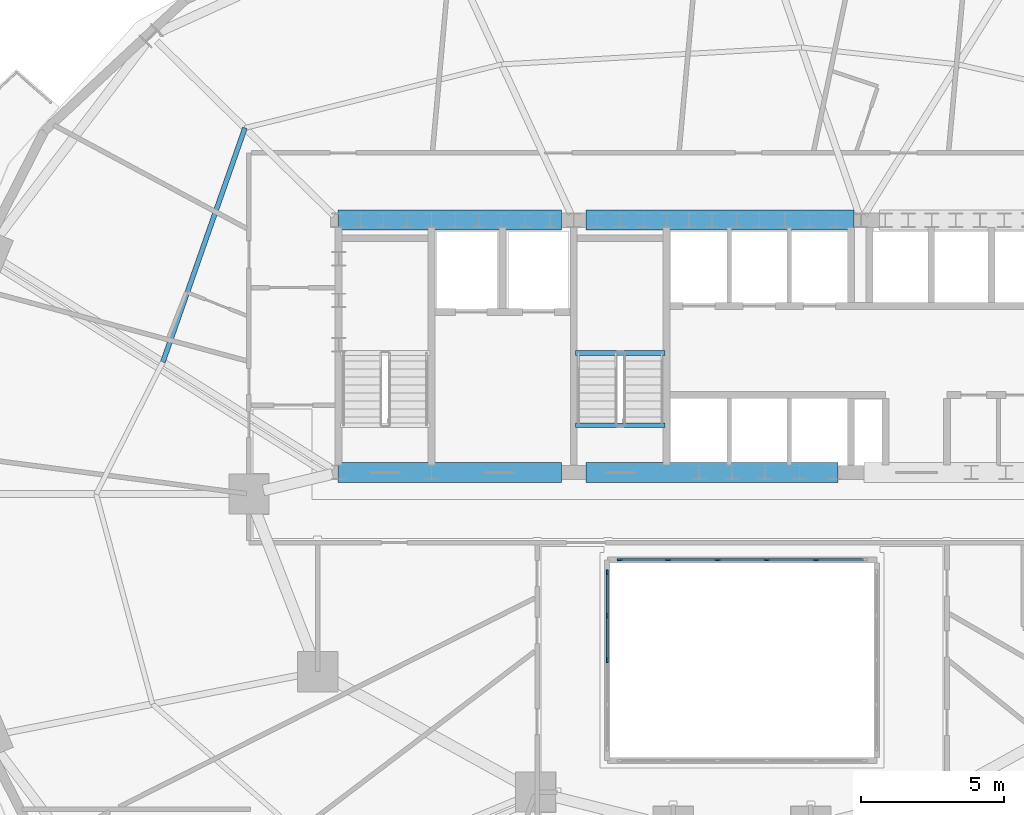
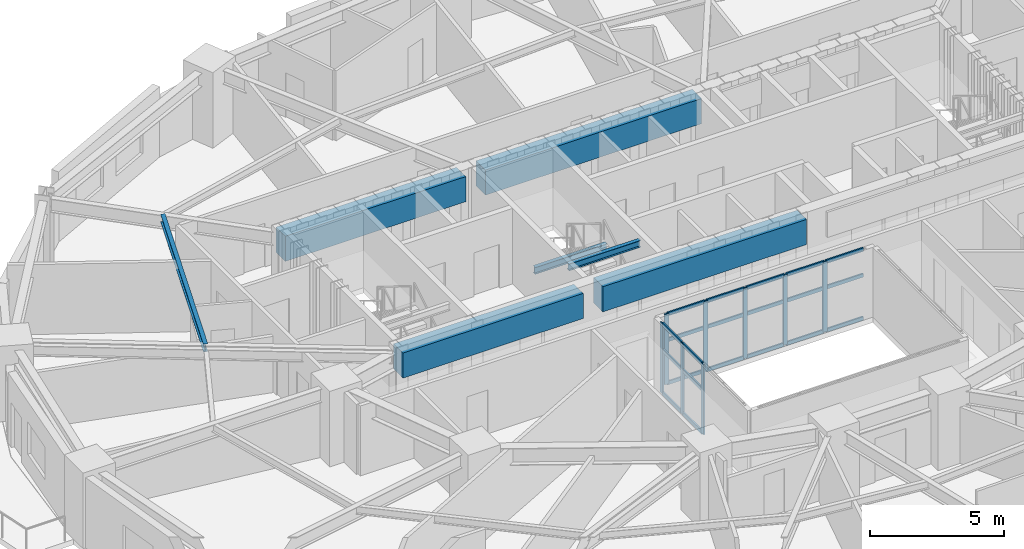
# One storey, part 4 of 16: 29 members, 7 beams, 2 elements without a shape of their own.
"""IFC4 building model written with IfcOpenShell, lengths in metres."""

from ifc_helpers import new_model, si_unit, direction, frame, origin, origin_2d, place, context, subcontext, project, spatial, rectangle, i_section, extrude, material, material_profile, profile_set, type_object, element, aggregate, save


model = new_model("IFC4")

# Units and contexts
model_context = context("Model", 3, precision=1e-05, world=origin(), true_north=direction((0.0, 1.0)))
body_context = subcontext(model_context, "Body", "Model", "MODEL_VIEW")
ifc_project = project(units=[si_unit("LENGTHUNIT", "METRE"), si_unit("AREAUNIT", "SQUARE_METRE"), si_unit("VOLUMEUNIT", "CUBIC_METRE"), si_unit("PLANEANGLEUNIT", "RADIAN"), si_unit("MASSUNIT", "GRAM", prefix="KILO")], contexts=[model_context])

# Site, building, storey
site_placement = place(None, origin())
site = spatial("IfcSite", under=ifc_project, at=site_placement, CompositionType="ELEMENT")
building_placement = place(site_placement, origin())
building = spatial("IfcBuilding", under=site, at=building_placement, Name="Haldorwick Loom Tower", CompositionType="ELEMENT")
storey_placement = place(building_placement, frame((0.0, 0.0, 88.699951171875)))
storey = spatial("IfcBuildingStorey", under=building, at=storey_placement, Name="L23", CompositionType="ELEMENT", Elevation=88.699951171875)

# Curtain wall, members
ifc_material_1 = material(Name="Thermally Broken Anodized Aluminium Curtain Wall Framing", Category="aluminium")
curtain_wall_type = type_object("IfcCurtainWallType", Name="ARC-CW-03", PredefinedType="NOTDEFINED", material=ifc_material_1)
curtain_wall_1_placement = place(storey_placement, origin())
curtain_wall_1 = element("IfcCurtainWall", 1, at=curtain_wall_1_placement, inside=storey, type_object=curtain_wall_type, Name="L23 Atrium Glazed Screen N", PredefinedType="NOTDEFINED")
ifc_material_profile_1 = material_profile(ifc_material_1, rectangle(XDim=0.06591796875, YDim=0.18505859375, at=origin_2d()), Name="ALU_MUL_66X185", Category="aluminium")
ifc_profile_set_1 = profile_set([ifc_material_profile_1], Name="Thermally Broken Anodized Aluminium Curtain Wall Framing")
member_type_1 = type_object("IfcMemberType", Name="ARC-CWM-03", PredefinedType="MULLION", material=ifc_profile_set_1)
member_1_placement = place(storey_placement, frame((31.73291015625, 23.699951171875, 0.0), z_axis=(0.0, 0.0, 1.0), x_axis=(0.0, 1.0, 0.0)))
member_1 = element("IfcMember", 2, at=member_1_placement, type_object=member_type_1, Name="CW-03 mullion 1", PredefinedType="MULLION", context=body_context, shape_type="SweptSolid", body=[
    extrude(rectangle(XDim=0.06591796875, YDim=0.18505859375, at=origin_2d()), origin(), (0.0, 0.0, 1.0), 3.2099609375),
])
member_2_placement = place(storey_placement, frame((33.419921875, 23.699951171875, 0.0), z_axis=(0.0, 0.0, 1.0), x_axis=(0.0, 1.0, 0.0)))
member_2 = element("IfcMember", 3, at=member_2_placement, type_object=member_type_1, Name="CW-03 mullion 2", PredefinedType="MULLION", context=body_context, shape_type="SweptSolid", body=[
    extrude(rectangle(XDim=0.06591796875, YDim=0.18505859375, at=origin_2d()), origin(), (0.0, 0.0, 1.0), 3.2099609375),
])
member_3_placement = place(storey_placement, frame((35.139892578125, 23.699951171875, 0.0), z_axis=(0.0, 0.0, 1.0), x_axis=(0.0, 1.0, 0.0)))
member_3 = element("IfcMember", 4, at=member_3_placement, type_object=member_type_1, Name="CW-03 mullion 3", PredefinedType="MULLION", context=body_context, shape_type="SweptSolid", body=[
    extrude(rectangle(XDim=0.06591796875, YDim=0.18505859375, at=origin_2d()), origin(), (0.0, 0.0, 1.0), 3.2099609375),
])
member_4_placement = place(storey_placement, frame((36.860107421875, 23.699951171875, 0.0), z_axis=(0.0, 0.0, 1.0), x_axis=(0.0, 1.0, 0.0)))
member_4 = element("IfcMember", 5, at=member_4_placement, type_object=member_type_1, Name="CW-03 mullion 4", PredefinedType="MULLION", context=body_context, shape_type="SweptSolid", body=[
    extrude(rectangle(XDim=0.06591796875, YDim=0.18505859375, at=origin_2d()), origin(), (0.0, 0.0, 1.0), 3.2099609375),
])
member_5_placement = place(storey_placement, frame((38.580078125, 23.699951171875, 0.0), z_axis=(0.0, 0.0, 1.0), x_axis=(0.0, 1.0, 0.0)))
member_5 = element("IfcMember", 6, at=member_5_placement, type_object=member_type_1, Name="CW-03 mullion 5", PredefinedType="MULLION", context=body_context, shape_type="SweptSolid", body=[
    extrude(rectangle(XDim=0.06591796875, YDim=0.18505859375, at=origin_2d()), origin(), (0.0, 0.0, 1.0), 3.2099609375),
])

curtain_wall_2_placement = place(storey_placement, origin())
curtain_wall_2 = element("IfcCurtainWall", 7, at=curtain_wall_2_placement, inside=storey, type_object=curtain_wall_type, Name="L23 Atrium Glazed Screen W", PredefinedType="NOTDEFINED")
member_6_placement = place(storey_placement, frame((31.300048828125, 20.199951171875, 0.0), z_axis=(0.0, 0.0, 1.0), x_axis=(-1.0, 0.0, 0.0)))
member_6 = element("IfcMember", 8, at=member_6_placement, type_object=member_type_1, Name="CW-03 mullion 3", PredefinedType="MULLION", context=body_context, shape_type="SweptSolid", body=[
    extrude(rectangle(XDim=0.06591796875, YDim=0.18505859375, at=origin_2d()), origin(), (0.0, 0.0, 1.0), 3.2099609375),
])
member_7_placement = place(storey_placement, frame((31.300048828125, 21.75, 0.0), z_axis=(0.0, 0.0, 1.0), x_axis=(-1.0, 0.0, 0.0)))
member_7 = element("IfcMember", 9, at=member_7_placement, type_object=member_type_1, Name="CW-03 mullion 4", PredefinedType="MULLION", context=body_context, shape_type="SweptSolid", body=[
    extrude(rectangle(XDim=0.06591796875, YDim=0.18505859375, at=origin_2d()), origin(), (0.0, 0.0, 1.0), 3.2099609375),
])
member_8_placement = place(storey_placement, frame((31.300048828125, 23.26708984375, 0.0), z_axis=(0.0, 0.0, 1.0), x_axis=(-1.0, 0.0, 0.0)))
member_8 = element("IfcMember", 10, at=member_8_placement, type_object=member_type_1, Name="CW-03 mullion 5", PredefinedType="MULLION", context=body_context, shape_type="SweptSolid", body=[
    extrude(rectangle(XDim=0.06591796875, YDim=0.18505859375, at=origin_2d()), origin(), (0.0, 0.0, 1.0), 3.2099609375),
])

# Member
ifc_material_profile_2 = material_profile(ifc_material_1, rectangle(XDim=0.06591796875, YDim=0.1650390625, at=origin_2d()), Name="ALU_TRN_66X165", Category="aluminium")
ifc_profile_set_2 = profile_set([ifc_material_profile_2], Name="Thermally Broken Anodized Aluminium Curtain Wall Framing")
member_type_2 = type_object("IfcMemberType", Name="ARC-CWT-03", PredefinedType="USERDEFINED", material=ifc_profile_set_2)
member_9_placement = place(storey_placement, frame((31.76611328125, 23.699951171875, 0.032958984375), z_axis=(1.0, 0.0, 0.0), x_axis=(0.0, 1.0, 0.0)))
member_9 = element("IfcMember", 11, at=member_9_placement, type_object=member_type_2, Name="CW-03 transom 1.1", ObjectType="TRANSOM", PredefinedType="USERDEFINED", context=body_context, shape_type="SweptSolid", body=[
    extrude(rectangle(XDim=0.06591796875, YDim=0.1650390625, at=origin_2d()), origin(), (0.0, 0.0, 1.0), 1.620849609375),
])

member_10_placement = place(storey_placement, frame((31.76611328125, 23.699951171875, 2.0), z_axis=(1.0, 0.0, 0.0), x_axis=(0.0, 1.0, 0.0)))
member_10 = element("IfcMember", 12, at=member_10_placement, type_object=member_type_2, Name="CW-03 transom 1.2", ObjectType="TRANSOM", PredefinedType="USERDEFINED", context=body_context, shape_type="SweptSolid", body=[
    extrude(rectangle(XDim=0.06591796875, YDim=0.1650390625, at=origin_2d()), origin(), (0.0, 0.0, 1.0), 1.620849609375),
])

member_11_placement = place(storey_placement, frame((31.76611328125, 23.699951171875, 3.177001953125), z_axis=(1.0, 0.0, 0.0), x_axis=(0.0, 1.0, 0.0)))
member_11 = element("IfcMember", 13, at=member_11_placement, type_object=member_type_2, Name="CW-03 transom 1.3", ObjectType="TRANSOM", PredefinedType="USERDEFINED", context=body_context, shape_type="SweptSolid", body=[
    extrude(rectangle(XDim=0.06591796875, YDim=0.1650390625, at=origin_2d()), origin(), (0.0, 0.0, 1.0), 1.620849609375),
])

member_12_placement = place(storey_placement, frame((33.452880859375, 23.699951171875, 0.032958984375), z_axis=(1.0, 0.0, 0.0), x_axis=(0.0, 1.0, 0.0)))
member_12 = element("IfcMember", 14, at=member_12_placement, type_object=member_type_2, Name="CW-03 transom 2.1", ObjectType="TRANSOM", PredefinedType="USERDEFINED", context=body_context, shape_type="SweptSolid", body=[
    extrude(rectangle(XDim=0.06591796875, YDim=0.1650390625, at=origin_2d()), origin(), (0.0, 0.0, 1.0), 1.654052734375),
])

member_13_placement = place(storey_placement, frame((33.452880859375, 23.699951171875, 2.0), z_axis=(1.0, 0.0, 0.0), x_axis=(0.0, 1.0, 0.0)))
member_13 = element("IfcMember", 15, at=member_13_placement, type_object=member_type_2, Name="CW-03 transom 2.2", ObjectType="TRANSOM", PredefinedType="USERDEFINED", context=body_context, shape_type="SweptSolid", body=[
    extrude(rectangle(XDim=0.06591796875, YDim=0.1650390625, at=origin_2d()), origin(), (0.0, 0.0, 1.0), 1.654052734375),
])

member_14_placement = place(storey_placement, frame((33.452880859375, 23.699951171875, 3.177001953125), z_axis=(1.0, 0.0, 0.0), x_axis=(0.0, 1.0, 0.0)))
member_14 = element("IfcMember", 16, at=member_14_placement, type_object=member_type_2, Name="CW-03 transom 2.3", ObjectType="TRANSOM", PredefinedType="USERDEFINED", context=body_context, shape_type="SweptSolid", body=[
    extrude(rectangle(XDim=0.06591796875, YDim=0.1650390625, at=origin_2d()), origin(), (0.0, 0.0, 1.0), 1.654052734375),
])

member_15_placement = place(storey_placement, frame((35.173095703125, 23.699951171875, 0.032958984375), z_axis=(1.0, 0.0, 0.0), x_axis=(0.0, 1.0, 0.0)))
member_15 = element("IfcMember", 17, at=member_15_placement, type_object=member_type_2, Name="CW-03 transom 3.1", ObjectType="TRANSOM", PredefinedType="USERDEFINED", context=body_context, shape_type="SweptSolid", body=[
    extrude(rectangle(XDim=0.06591796875, YDim=0.1650390625, at=origin_2d()), origin(), (0.0, 0.0, 1.0), 1.65380859375),
])

member_16_placement = place(storey_placement, frame((35.173095703125, 23.699951171875, 2.0), z_axis=(1.0, 0.0, 0.0), x_axis=(0.0, 1.0, 0.0)))
member_16 = element("IfcMember", 18, at=member_16_placement, type_object=member_type_2, Name="CW-03 transom 3.2", ObjectType="TRANSOM", PredefinedType="USERDEFINED", context=body_context, shape_type="SweptSolid", body=[
    extrude(rectangle(XDim=0.06591796875, YDim=0.1650390625, at=origin_2d()), origin(), (0.0, 0.0, 1.0), 1.65380859375),
])

member_17_placement = place(storey_placement, frame((35.173095703125, 23.699951171875, 3.177001953125), z_axis=(1.0, 0.0, 0.0), x_axis=(0.0, 1.0, 0.0)))
member_17 = element("IfcMember", 19, at=member_17_placement, type_object=member_type_2, Name="CW-03 transom 3.3", ObjectType="TRANSOM", PredefinedType="USERDEFINED", context=body_context, shape_type="SweptSolid", body=[
    extrude(rectangle(XDim=0.06591796875, YDim=0.1650390625, at=origin_2d()), origin(), (0.0, 0.0, 1.0), 1.65380859375),
])

member_18_placement = place(storey_placement, frame((36.89306640625, 23.699951171875, 0.032958984375), z_axis=(1.0, 0.0, 0.0), x_axis=(0.0, 1.0, 0.0)))
member_18 = element("IfcMember", 20, at=member_18_placement, type_object=member_type_2, Name="CW-03 transom 4.1", ObjectType="TRANSOM", PredefinedType="USERDEFINED", context=body_context, shape_type="SweptSolid", body=[
    extrude(rectangle(XDim=0.06591796875, YDim=0.1650390625, at=origin_2d()), origin(), (0.0, 0.0, 1.0), 1.654052734375),
])

member_19_placement = place(storey_placement, frame((36.89306640625, 23.699951171875, 2.0), z_axis=(1.0, 0.0, 0.0), x_axis=(0.0, 1.0, 0.0)))
member_19 = element("IfcMember", 21, at=member_19_placement, type_object=member_type_2, Name="CW-03 transom 4.2", ObjectType="TRANSOM", PredefinedType="USERDEFINED", context=body_context, shape_type="SweptSolid", body=[
    extrude(rectangle(XDim=0.06591796875, YDim=0.1650390625, at=origin_2d()), origin(), (0.0, 0.0, 1.0), 1.654052734375),
])

member_20_placement = place(storey_placement, frame((36.89306640625, 23.699951171875, 3.177001953125), z_axis=(1.0, 0.0, 0.0), x_axis=(0.0, 1.0, 0.0)))
member_20 = element("IfcMember", 22, at=member_20_placement, type_object=member_type_2, Name="CW-03 transom 4.3", ObjectType="TRANSOM", PredefinedType="USERDEFINED", context=body_context, shape_type="SweptSolid", body=[
    extrude(rectangle(XDim=0.06591796875, YDim=0.1650390625, at=origin_2d()), origin(), (0.0, 0.0, 1.0), 1.654052734375),
])

member_21_placement = place(storey_placement, frame((38.613037109375, 23.699951171875, 0.032958984375), z_axis=(1.0, 0.0, 0.0), x_axis=(0.0, 1.0, 0.0)))
member_21 = element("IfcMember", 23, at=member_21_placement, type_object=member_type_2, Name="CW-03 transom 5.1", ObjectType="TRANSOM", PredefinedType="USERDEFINED", context=body_context, shape_type="SweptSolid", body=[
    extrude(rectangle(XDim=0.06591796875, YDim=0.1650390625, at=origin_2d()), origin(), (0.0, 0.0, 1.0), 1.620849609375),
])

member_22_placement = place(storey_placement, frame((38.613037109375, 23.699951171875, 2.0), z_axis=(1.0, 0.0, 0.0), x_axis=(0.0, 1.0, 0.0)))
member_22 = element("IfcMember", 24, at=member_22_placement, type_object=member_type_2, Name="CW-03 transom 5.2", ObjectType="TRANSOM", PredefinedType="USERDEFINED", context=body_context, shape_type="SweptSolid", body=[
    extrude(rectangle(XDim=0.06591796875, YDim=0.1650390625, at=origin_2d()), origin(), (0.0, 0.0, 1.0), 1.620849609375),
])

member_23_placement = place(storey_placement, frame((38.613037109375, 23.699951171875, 3.177001953125), z_axis=(1.0, 0.0, 0.0), x_axis=(0.0, 1.0, 0.0)))
member_23 = element("IfcMember", 25, at=member_23_placement, type_object=member_type_2, Name="CW-03 transom 5.3", ObjectType="TRANSOM", PredefinedType="USERDEFINED", context=body_context, shape_type="SweptSolid", body=[
    extrude(rectangle(XDim=0.06591796875, YDim=0.1650390625, at=origin_2d()), origin(), (0.0, 0.0, 1.0), 1.620849609375),
])

aggregate(curtain_wall_1, [member_1, member_2, member_3, member_4, member_5, member_9, member_10, member_11, member_12, member_13, member_14, member_15, member_16, member_17, member_18, member_19, member_20, member_21, member_22, member_23])

member_24_placement = place(storey_placement, frame((31.300048828125, 20.23291015625, 0.032958984375), z_axis=(0.0, 1.0, 0.0), x_axis=(-1.0, 0.0, 0.0)))
member_24 = element("IfcMember", 26, at=member_24_placement, type_object=member_type_2, Name="CW-03 transom 3.1", ObjectType="TRANSOM", PredefinedType="USERDEFINED", context=body_context, shape_type="SweptSolid", body=[
    extrude(rectangle(XDim=0.06591796875, YDim=0.1650390625, at=origin_2d()), origin(), (0.0, 0.0, 1.0), 1.484130859375),
])

member_25_placement = place(storey_placement, frame((31.300048828125, 20.23291015625, 2.0), z_axis=(0.0, 1.0, 0.0), x_axis=(-1.0, 0.0, 0.0)))
member_25 = element("IfcMember", 27, at=member_25_placement, type_object=member_type_2, Name="CW-03 transom 3.2", ObjectType="TRANSOM", PredefinedType="USERDEFINED", context=body_context, shape_type="SweptSolid", body=[
    extrude(rectangle(XDim=0.06591796875, YDim=0.1650390625, at=origin_2d()), origin(), (0.0, 0.0, 1.0), 1.484130859375),
])

member_26_placement = place(storey_placement, frame((31.300048828125, 20.23291015625, 3.177001953125), z_axis=(0.0, 1.0, 0.0), x_axis=(-1.0, 0.0, 0.0)))
member_26 = element("IfcMember", 28, at=member_26_placement, type_object=member_type_2, Name="CW-03 transom 3.3", ObjectType="TRANSOM", PredefinedType="USERDEFINED", context=body_context, shape_type="SweptSolid", body=[
    extrude(rectangle(XDim=0.06591796875, YDim=0.1650390625, at=origin_2d()), origin(), (0.0, 0.0, 1.0), 1.484130859375),
])

member_27_placement = place(storey_placement, frame((31.300048828125, 21.782958984375, 0.032958984375), z_axis=(0.0, 1.0, 0.0), x_axis=(-1.0, 0.0, 0.0)))
member_27 = element("IfcMember", 29, at=member_27_placement, type_object=member_type_2, Name="CW-03 transom 4.1", ObjectType="TRANSOM", PredefinedType="USERDEFINED", context=body_context, shape_type="SweptSolid", body=[
    extrude(rectangle(XDim=0.06591796875, YDim=0.1650390625, at=origin_2d()), origin(), (0.0, 0.0, 1.0), 1.450927734375),
])

member_28_placement = place(storey_placement, frame((31.300048828125, 21.782958984375, 2.0), z_axis=(0.0, 1.0, 0.0), x_axis=(-1.0, 0.0, 0.0)))
member_28 = element("IfcMember", 30, at=member_28_placement, type_object=member_type_2, Name="CW-03 transom 4.2", ObjectType="TRANSOM", PredefinedType="USERDEFINED", context=body_context, shape_type="SweptSolid", body=[
    extrude(rectangle(XDim=0.06591796875, YDim=0.1650390625, at=origin_2d()), origin(), (0.0, 0.0, 1.0), 1.450927734375),
])

member_29_placement = place(storey_placement, frame((31.300048828125, 21.782958984375, 3.177001953125), z_axis=(0.0, 1.0, 0.0), x_axis=(-1.0, 0.0, 0.0)))
member_29 = element("IfcMember", 31, at=member_29_placement, type_object=member_type_2, Name="CW-03 transom 4.3", ObjectType="TRANSOM", PredefinedType="USERDEFINED", context=body_context, shape_type="SweptSolid", body=[
    extrude(rectangle(XDim=0.06591796875, YDim=0.1650390625, at=origin_2d()), origin(), (0.0, 0.0, 1.0), 1.450927734375),
])

aggregate(curtain_wall_2, [member_6, member_7, member_8, member_24, member_25, member_26, member_27, member_28, member_29])

# Beams
ifc_material_2 = material(Name="Concrete C60 (60 MPa)", Category="concrete")
ifc_material_profile_3 = material_profile(ifc_material_2, rectangle(XDim=0.699951171875, YDim=1.14990234375, at=origin_2d()), Name="RC700X1150", Category="concrete")
ifc_profile_set_3 = profile_set([ifc_material_profile_3], Name="Concrete C60 (60 MPa)")
beam_type_1 = type_object("IfcBeamType", Name="STR-BM-CB1150", PredefinedType="LINTEL", material=ifc_profile_set_3)
beam_1_placement = place(storey_placement, frame((21.89990234375, 35.550048828125, 2.635009765625), z_axis=(1.0, 0.0, 0.0), x_axis=(0.0, 1.0, 0.0)))
element("IfcBeam", 32, at=beam_1_placement, inside=storey, type_object=beam_type_1, Name="L23 Core Coupling Beam CB-N1", PredefinedType="LINTEL", context=body_context, shape_type="SweptSolid", body=[
    extrude(rectangle(XDim=0.699951171875, YDim=1.14990234375, at=origin_2d()), origin(), (0.0, 0.0, 1.0), 7.800048828125),
])
beam_2_placement = place(storey_placement, frame((30.550048828125, 35.550048828125, 2.635009765625), z_axis=(1.0, 0.0, 0.0), x_axis=(0.0, 1.0, 0.0)))
element("IfcBeam", 33, at=beam_2_placement, inside=storey, type_object=beam_type_1, Name="L23 Core Coupling Beam CB-N2", PredefinedType="LINTEL", context=body_context, shape_type="SweptSolid", body=[
    extrude(rectangle(XDim=0.699951171875, YDim=1.14990234375, at=origin_2d()), origin(), (0.0, 0.0, 1.0), 9.349853515625),
])
beam_3_placement = place(storey_placement, frame((21.89990234375, 26.75, 2.635009765625), z_axis=(1.0, 0.0, 0.0), x_axis=(0.0, 1.0, 0.0)))
element("IfcBeam", 34, at=beam_3_placement, inside=storey, type_object=beam_type_1, Name="L23 Core Coupling Beam CB-S1", PredefinedType="LINTEL", context=body_context, shape_type="SweptSolid", body=[
    extrude(rectangle(XDim=0.699951171875, YDim=1.14990234375, at=origin_2d()), origin(), (0.0, 0.0, 1.0), 7.800048828125),
])
beam_4_placement = place(storey_placement, frame((30.550048828125, 26.75, 2.635009765625), z_axis=(1.0, 0.0, 0.0), x_axis=(0.0, 1.0, 0.0)))
element("IfcBeam", 35, at=beam_4_placement, inside=storey, type_object=beam_type_1, Name="L23 Core Coupling Beam CB-S2", PredefinedType="LINTEL", context=body_context, shape_type="SweptSolid", body=[
    extrude(rectangle(XDim=0.699951171875, YDim=1.14990234375, at=origin_2d()), origin(), (0.0, 0.0, 1.0), 8.800048828125),
])
ifc_material_3 = material(Name="Steel CSA G40.21 350W", Category="steel")
ifc_material_profile_4 = material_profile(ifc_material_3, i_section(OverallWidth=0.172119140625, OverallDepth=0.35791015625, WebThickness=0.0078125, FlangeThickness=0.01318359375, at=origin_2d()), Name="W360X57", Category="steel")
ifc_profile_set_4 = profile_set([ifc_material_profile_4], Name="Steel CSA G40.21 350W")
beam_type_2 = type_object("IfcBeamType", Name="STR-BM-J360", PredefinedType="JOIST", material=ifc_profile_set_4)
beam_5_placement = place(storey_placement, frame((18.66162109375, 38.765869140625, 3.031005859375), z_axis=(-0.330864603503, -0.943678236556, 0.0), x_axis=(0.943678236556, -0.330864603503, 0.0)))
element("IfcBeam", 36, at=beam_5_placement, inside=storey, type_object=beam_type_2, Name="L23 Mid-Bay Secondary Joist 7", PredefinedType="JOIST", context=body_context, shape_type="SweptSolid", body=[
    extrude(i_section(OverallWidth=0.172119140625, OverallDepth=0.35791015625, WebThickness=0.0078125, FlangeThickness=0.01318359375, at=origin_2d()), origin(), (0.0, 0.0, 1.0), 8.6494140625),
])
ifc_material_profile_5 = material_profile(ifc_material_3, i_section(OverallWidth=0.166015625, OverallDepth=0.31298828125, WebThickness=0.006591796875, FlangeThickness=0.01123046875, at=origin_2d()), Name="W310X45", Category="steel")
ifc_profile_set_5 = profile_set([ifc_material_profile_5], Name="Steel CSA G40.21 350W")
beam_type_3 = type_object("IfcBeamType", Name="STR-BM-STRM", PredefinedType="BEAM", material=ifc_profile_set_5)
for number, where, z_axis, x_axis, name in (
    (37, (30.18994140625, 28.39990234375, 3.053466796875), (1.0, 0.0, 0.0), (0.0, 1.0, 0.0), "L23 Stair ST-03 Landing Edge Trimmer"),
    (38, (30.18994140625, 30.919921875, 1.36865234375), (1.0, 0.0, 0.0), (0.0, 1.0, 0.0), "L23 Stair ST-03 Half-Landing Trimmer 1"),
):
    element("IfcBeam", number, at=place(storey_placement, frame(where, z_axis=z_axis, x_axis=x_axis)), inside=storey, type_object=beam_type_3, Name=name, PredefinedType="BEAM", context=body_context, shape_type="SweptSolid", body=[
        extrude(i_section(OverallWidth=0.166015625, OverallDepth=0.31298828125, WebThickness=0.006591796875, FlangeThickness=0.01123046875, at=origin_2d()), origin(), (0.0, 0.0, 1.0), 3.1201171875),
    ])

save(model, "model.ifc")
